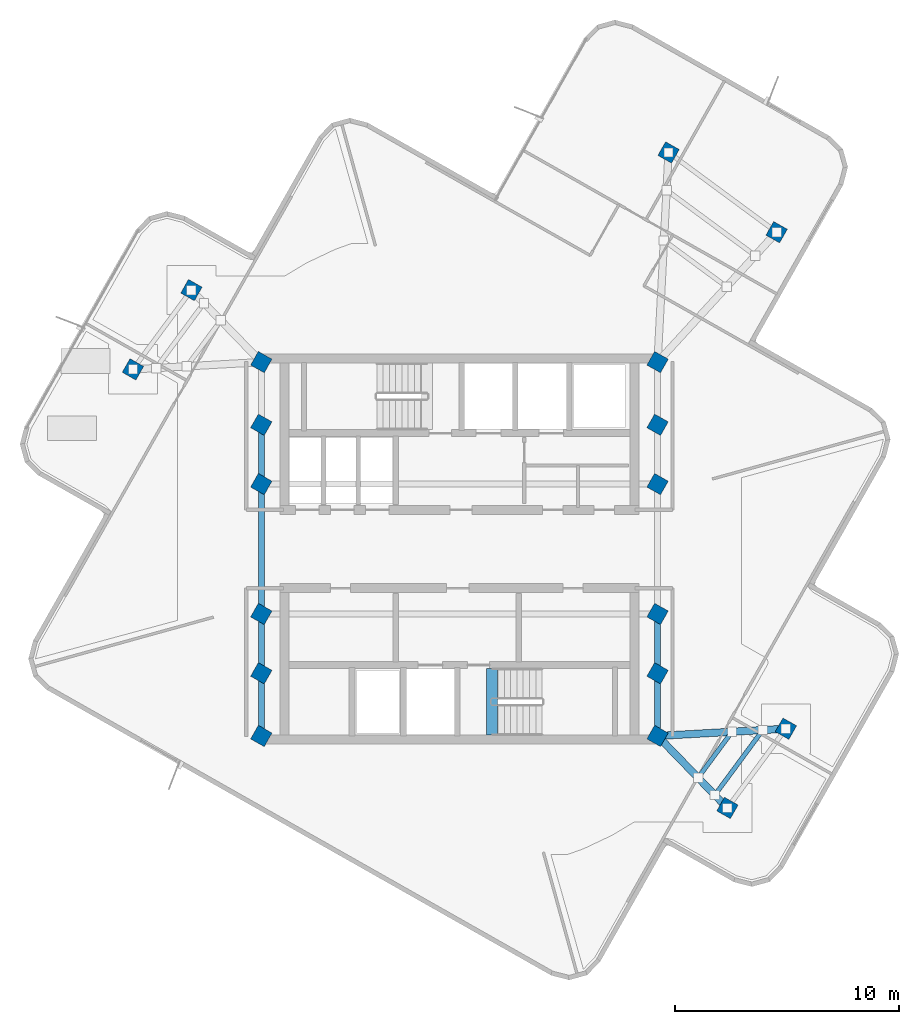
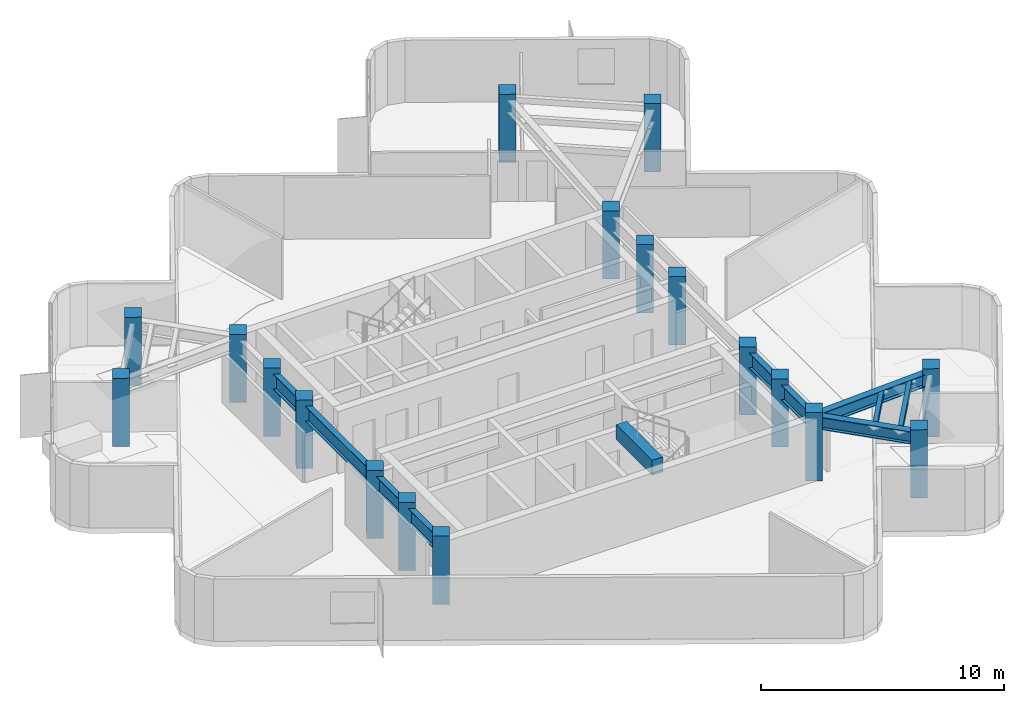
# One storey, part 1 of 11: 18 columns, 11 beams.
"""IFC4 building model written with IfcOpenShell, lengths in metres."""

from ifc_helpers import new_model, si_unit, direction, frame, origin, origin_2d, place, context, subcontext, project, spatial, rectangle, hollow_rectangle, i_section, extrude, material, material_profile, profile_set, type_object, element, save


model = new_model("IFC4")

# Units and contexts
model_context = context("Model", 3, precision=1e-05, world=origin(), true_north=direction((0.0, 1.0)))
body_context = subcontext(model_context, "Body", "Model", "MODEL_VIEW")
ifc_project = project(units=[si_unit("LENGTHUNIT", "METRE"), si_unit("AREAUNIT", "SQUARE_METRE"), si_unit("VOLUMEUNIT", "CUBIC_METRE"), si_unit("PLANEANGLEUNIT", "RADIAN"), si_unit("MASSUNIT", "GRAM", prefix="KILO")], contexts=[model_context])

# Site, building, storey
site_placement = place(None, origin())
site = spatial("IfcSite", under=ifc_project, at=site_placement, CompositionType="ELEMENT")
building_placement = place(site_placement, origin())
building = spatial("IfcBuilding", under=site, at=building_placement, Name="Solmarez Civic Tower", CompositionType="ELEMENT")
storey_placement = place(building_placement, frame((0.0, 0.0, 281.699951171875)))
storey = spatial("IfcBuildingStorey", under=building, at=storey_placement, Name="L76", CompositionType="ELEMENT", Elevation=281.699951171875)

# Columns
ifc_material_1 = material(Name="Concrete C50/60", Category="concrete")
ifc_material_profile_1 = material_profile(ifc_material_1, rectangle(XDim=0.699951171875, YDim=0.699951171875, at=origin_2d()), Name="RC700X700")
ifc_profile_set_1 = profile_set([ifc_material_profile_1], Name="Concrete C50/60")
column_type = type_object("IfcColumnType", Name="COL-RC700", PredefinedType="COLUMN", material=ifc_profile_set_1)
for number, where, z_axis, x_axis, name in (
    (1, (-8.85009765625, -5.550048828125, 0.0), (0.0, 0.0, 1.0), (0.492727341548, 0.87018375467, 0.0), "L76 Structural Column HC1"),
    (2, (-8.85009765625, -2.89990234375, 0.0), (0.0, 0.0, 1.0), (0.492727341548, 0.87018375467, 0.0), "L76 Structural Column HC2"),
    (3, (-8.85009765625, 2.89990234375, 0.0), (0.0, 0.0, 1.0), (0.492727341548, 0.87018375467, 0.0), "L76 Structural Column HC3"),
    (4, (-8.85009765625, 5.550048828125, 0.0), (0.0, 0.0, 1.0), (0.492727341548, 0.87018375467, 0.0), "L76 Structural Column HC4"),
    (5, (8.85009765625, -5.550048828125, 0.0), (0.0, 0.0, 1.0), (0.492727341548, 0.87018375467, 0.0), "L76 Structural Column HC5"),
    (6, (8.85009765625, -2.89990234375, 0.0), (0.0, 0.0, 1.0), (0.492727341548, 0.87018375467, 0.0), "L76 Structural Column HC6"),
    (7, (8.85009765625, 2.89990234375, 0.0), (0.0, 0.0, 1.0), (0.492727341548, 0.87018375467, 0.0), "L76 Structural Column HC7"),
    (8, (8.85009765625, 5.550048828125, 0.0), (0.0, 0.0, 1.0), (0.492727341548, 0.87018375467, 0.0), "L76 Structural Column HC8"),
    (9, (-8.85009765625, 8.35009765625, 0.0), (0.0, 0.0, 1.0), (0.492727341548, 0.87018375467, 0.0), "L76 Structural Column HC9"),
    (10, (8.85009765625, -8.35009765625, 0.0), (0.0, 0.0, 1.0), (0.492727341548, 0.87018375467, 0.0), "L76 Structural Column HC10"),
    (11, (8.85009765625, 8.35009765625, 0.0), (0.0, 0.0, 1.0), (0.492727341548, 0.87018375467, 0.0), "L76 Structural Column HC11"),
    (12, (-8.85009765625, -8.35009765625, 0.0), (0.0, 0.0, 1.0), (0.492727341548, 0.87018375467, 0.0), "L76 Structural Column HC12"),
    (13, (14.1689453125, 14.152099609375, 0.0), (0.0, 0.0, 1.0), (0.492727341548, 0.87018375467, 0.0), "L76 Structural Column EA11"),
    (14, (9.341064453125, 17.714111328125, 0.0), (0.0, 0.0, 1.0), (0.492727341548, 0.87018375467, 0.0), "L76 Structural Column EA12"),
    (15, (-11.970947265625, 11.56591796875, 0.0), (0.0, 0.0, 1.0), (0.492727341548, 0.87018375467, 0.0), "L76 Structural Column NA11"),
    (16, (-14.5830078125, 8.02587890625, 0.0), (0.0, 0.0, 1.0), (0.492727341548, 0.87018375467, 0.0), "L76 Structural Column NA12"),
    (17, (11.970947265625, -11.56591796875, 0.0), (0.0, 0.0, 1.0), (0.492727341548, 0.87018375467, 0.0), "L76 Structural Column SA11"),
    (18, (14.5830078125, -8.02587890625, 0.0), (0.0, 0.0, 1.0), (0.492727341548, 0.87018375467, 0.0), "L76 Structural Column SA12"),
):
    element("IfcColumn", number, at=place(storey_placement, frame(where, z_axis=z_axis, x_axis=x_axis)), inside=storey, type_object=column_type, Name=name, PredefinedType="COLUMN", context=body_context, shape_type="SweptSolid", body=[
        extrude(rectangle(XDim=0.699951171875, YDim=0.699951171875, at=origin_2d()), origin(), (0.0, 0.0, 1.0), 3.420166015625),
    ])

# Beams
ifc_material_2 = material(Name="Steel S355", Category="steel")
ifc_material_profile_2 = material_profile(ifc_material_2, hollow_rectangle(XDim=0.199951171875, YDim=0.300048828125, WallThickness=0.011962890625, at=origin_2d()), Name="HSS300X200X12")
ifc_profile_set_2 = profile_set([ifc_material_profile_2], Name="Steel S355")
beam_type_1 = type_object("IfcBeamType", Name="BM-JS-HSS300X200", PredefinedType="JOIST", material=ifc_profile_set_2)
beam_1_placement = place(storey_placement, frame((10.659912109375, -10.215087890625, 2.969970703125), z_axis=(0.593812477683, 0.804603468392, 0.0), x_axis=(-0.804603468392, 0.593812477683, 0.0)))
element("IfcBeam", 19, at=beam_1_placement, inside=storey, type_object=beam_type_1, Name="L76 Secondary Floor Joist JS-L76-SA-M11", PredefinedType="JOIST", context=body_context, shape_type="SweptSolid", body=[
    extrude(hollow_rectangle(XDim=0.199951171875, YDim=0.300048828125, WallThickness=0.011962890625, at=origin_2d()), origin(), (0.0, 0.0, 1.0), 2.551513671875),
])
beam_2_placement = place(storey_placement, frame((11.408935546875, -10.987060546875, 2.969970703125), z_axis=(0.593734433343, 0.804661060735, 0.0), x_axis=(-0.804661060735, 0.593734433343, 0.0)))
element("IfcBeam", 20, at=beam_2_placement, inside=storey, type_object=beam_type_1, Name="L76 Secondary Floor Joist JS-L76-SA-M12", PredefinedType="JOIST", context=body_context, shape_type="SweptSolid", body=[
    extrude(hollow_rectangle(XDim=0.199951171875, YDim=0.300048828125, WallThickness=0.011962890625, at=origin_2d()), origin(), (0.0, 0.0, 1.0), 3.60791015625),
])
ifc_material_profile_3 = material_profile(ifc_material_1, rectangle(XDim=0.5, YDim=0.75, at=origin_2d()), Name="RC500X750")
ifc_profile_set_3 = profile_set([ifc_material_profile_3], Name="Concrete C50/60")
beam_type_2 = type_object("IfcBeamType", Name="BM-PR-RC500X750", PredefinedType="BEAM", material=ifc_profile_set_3)
beam_3_placement = place(storey_placement, frame((1.449951171875, -8.300048828125, 3.052978515625), z_axis=(0.0, 1.0, 0.0), x_axis=(-1.0, 0.0, 0.0)))
element("IfcBeam", 21, at=beam_3_placement, inside=storey, type_object=beam_type_2, Name="L76 South Stair Threshold Beam", PredefinedType="BEAM", context=body_context, shape_type="SweptSolid", body=[
    extrude(rectangle(XDim=0.5, YDim=0.75, at=origin_2d()), origin(), (0.0, 0.0, 1.0), 2.9599609375),
])
ifc_material_profile_4 = material_profile(ifc_material_2, i_section(OverallWidth=0.327880859375, OverallDepth=0.6220703125, WebThickness=0.015380859375, FlangeThickness=0.0244140625, at=origin_2d()), Name="W24X131")
ifc_profile_set_4 = profile_set([ifc_material_profile_4], Name="Steel S355")
beam_type_3 = type_object("IfcBeamType", Name="BM-PR-W24X131", PredefinedType="BEAM", material=ifc_profile_set_4)
beam_4_placement = place(storey_placement, frame((8.85009765625, -8.35009765625, 2.80908203125), z_axis=(0.696430820305, -0.717623935309, 0.0), x_axis=(0.717623935309, 0.696430820305, 0.0)))
element("IfcBeam", 22, at=beam_4_placement, inside=storey, type_object=beam_type_3, Name="L76 Primary Floor Beam BM-L76-SA-R1A", PredefinedType="BEAM", context=body_context, shape_type="SweptSolid", body=[
    extrude(i_section(OverallWidth=0.327880859375, OverallDepth=0.6220703125, WebThickness=0.015380859375, FlangeThickness=0.0244140625, at=origin_2d()), origin(), (0.0, 0.0, 1.0), 4.481201171875),
])
beam_5_placement = place(storey_placement, frame((8.85009765625, -8.35009765625, 2.80908203125), z_axis=(0.998404650863, 0.056463732917, 0.0), x_axis=(-0.056463732917, 0.998404650863, 0.0)))
element("IfcBeam", 23, at=beam_5_placement, inside=storey, type_object=beam_type_3, Name="L76 Primary Floor Beam BM-L76-SA-R1B", PredefinedType="BEAM", context=body_context, shape_type="SweptSolid", body=[
    extrude(i_section(OverallWidth=0.327880859375, OverallDepth=0.6220703125, WebThickness=0.015380859375, FlangeThickness=0.0244140625, at=origin_2d()), origin(), (0.0, 0.0, 1.0), 5.7421875),
])
ifc_material_profile_5 = material_profile(ifc_material_2, i_section(OverallWidth=0.26708984375, OverallDepth=0.761962890625, WebThickness=0.014404296875, FlangeThickness=0.021484375, at=origin_2d()), Name="W30X116")
ifc_profile_set_5 = profile_set([ifc_material_profile_5], Name="Steel S355")
beam_type_4 = type_object("IfcBeamType", Name="BM-PR-W30X116", PredefinedType="BEAM", material=ifc_profile_set_5)
beam_6_placement = place(storey_placement, frame((-8.85009765625, -8.35009765625, 2.739013671875), z_axis=(0.0, 1.0, 0.0), x_axis=(-1.0, 0.0, 0.0)))
element("IfcBeam", 24, at=beam_6_placement, inside=storey, type_object=beam_type_4, Name="L76 Primary Floor Beam BM-L76-HC12-HC1", PredefinedType="BEAM", context=body_context, shape_type="SweptSolid", body=[
    extrude(i_section(OverallWidth=0.26708984375, OverallDepth=0.761962890625, WebThickness=0.014404296875, FlangeThickness=0.021484375, at=origin_2d()), origin(), (0.0, 0.0, 1.0), 2.800048828125),
])
beam_7_placement = place(storey_placement, frame((-8.85009765625, -5.550048828125, 2.739013671875), z_axis=(0.0, 1.0, 0.0), x_axis=(-1.0, 0.0, 0.0)))
element("IfcBeam", 25, at=beam_7_placement, inside=storey, type_object=beam_type_4, Name="L76 Primary Floor Beam BM-L76-HC1-HC2", PredefinedType="BEAM", context=body_context, shape_type="SweptSolid", body=[
    extrude(i_section(OverallWidth=0.26708984375, OverallDepth=0.761962890625, WebThickness=0.014404296875, FlangeThickness=0.021484375, at=origin_2d()), origin(), (0.0, 0.0, 1.0), 2.650146484375),
])
beam_8_placement = place(storey_placement, frame((-8.85009765625, -2.89990234375, 2.739013671875), z_axis=(0.0, 1.0, 0.0), x_axis=(-1.0, 0.0, 0.0)))
element("IfcBeam", 26, at=beam_8_placement, inside=storey, type_object=beam_type_4, Name="L76 Primary Floor Beam BM-L76-HC2-HC3", PredefinedType="BEAM", context=body_context, shape_type="SweptSolid", body=[
    extrude(i_section(OverallWidth=0.26708984375, OverallDepth=0.761962890625, WebThickness=0.014404296875, FlangeThickness=0.021484375, at=origin_2d()), origin(), (0.0, 0.0, 1.0), 5.7998046875),
])
beam_9_placement = place(storey_placement, frame((-8.85009765625, 2.89990234375, 2.739013671875), z_axis=(0.0, 1.0, 0.0), x_axis=(-1.0, 0.0, 0.0)))
element("IfcBeam", 27, at=beam_9_placement, inside=storey, type_object=beam_type_4, Name="L76 Primary Floor Beam BM-L76-HC3-HC4", PredefinedType="BEAM", context=body_context, shape_type="SweptSolid", body=[
    extrude(i_section(OverallWidth=0.26708984375, OverallDepth=0.761962890625, WebThickness=0.014404296875, FlangeThickness=0.021484375, at=origin_2d()), origin(), (0.0, 0.0, 1.0), 2.650146484375),
])
beam_10_placement = place(storey_placement, frame((8.85009765625, -8.35009765625, 2.739013671875), z_axis=(0.0, 1.0, 0.0), x_axis=(-1.0, 0.0, 0.0)))
element("IfcBeam", 28, at=beam_10_placement, inside=storey, type_object=beam_type_4, Name="L76 Primary Floor Beam BM-L76-HC10-HC5", PredefinedType="BEAM", context=body_context, shape_type="SweptSolid", body=[
    extrude(i_section(OverallWidth=0.26708984375, OverallDepth=0.761962890625, WebThickness=0.014404296875, FlangeThickness=0.021484375, at=origin_2d()), origin(), (0.0, 0.0, 1.0), 2.800048828125),
])
beam_11_placement = place(storey_placement, frame((8.85009765625, -5.550048828125, 2.739013671875), z_axis=(0.0, 1.0, 0.0), x_axis=(-1.0, 0.0, 0.0)))
element("IfcBeam", 29, at=beam_11_placement, inside=storey, type_object=beam_type_4, Name="L76 Primary Floor Beam BM-L76-HC5-HC6", PredefinedType="BEAM", context=body_context, shape_type="SweptSolid", body=[
    extrude(i_section(OverallWidth=0.26708984375, OverallDepth=0.761962890625, WebThickness=0.014404296875, FlangeThickness=0.021484375, at=origin_2d()), origin(), (0.0, 0.0, 1.0), 2.650146484375),
])

save(model, "model.ifc")
